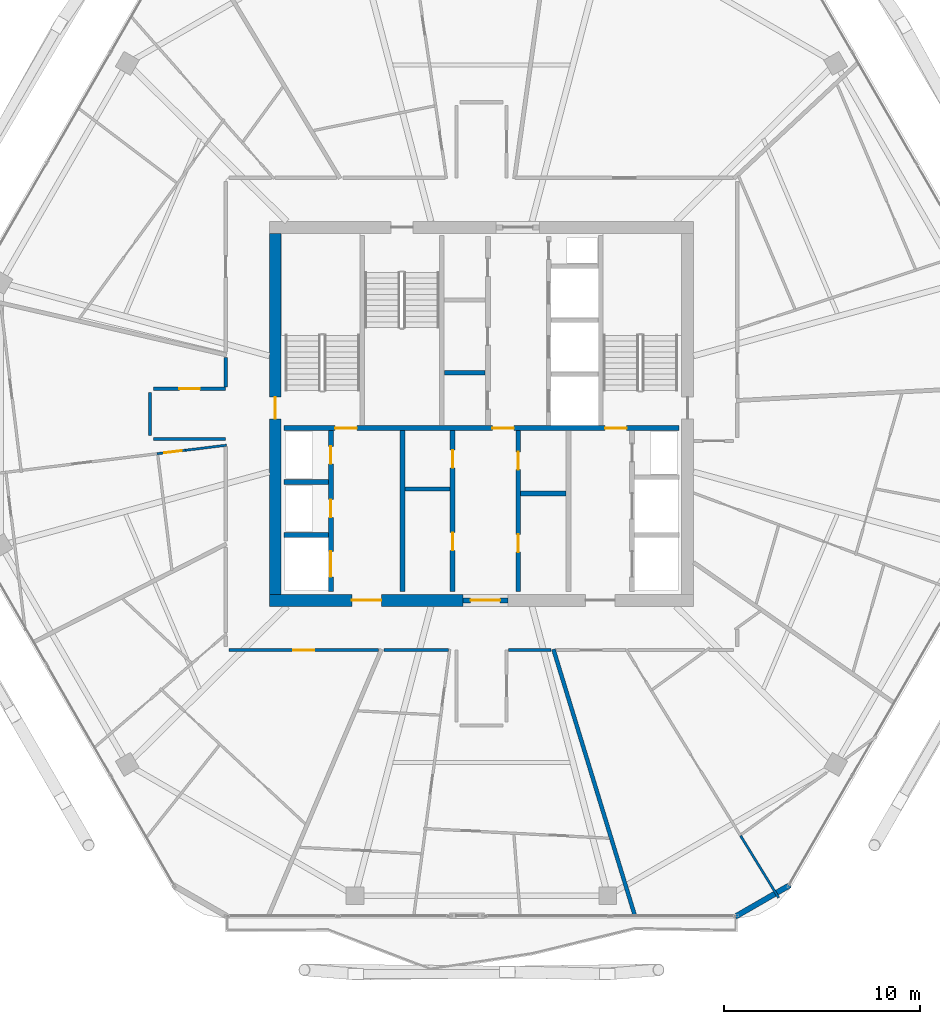
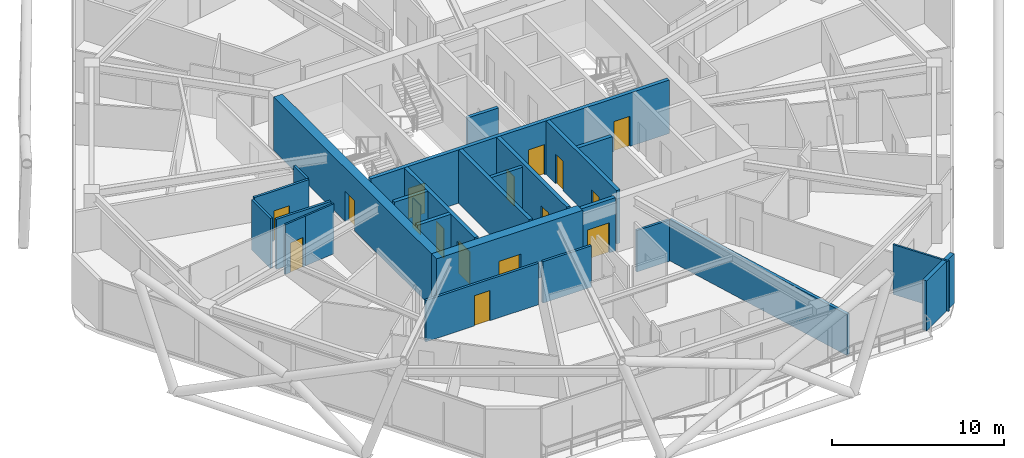
# One storey, part 21 of 28: 25 walls, 16 doors, 16 openings.
"""IFC4 building model written with IfcOpenShell, lengths in metres."""

from ifc_helpers import new_model, si_unit, direction, frame, frame_2d, origin, place, context, subcontext, project, spatial, rectangle, extrude, material, layer, layer_set, type_object, element, fill, save


model = new_model("IFC4")

# Units and contexts
model_context = context("Model", 3, precision=1e-05, world=origin(), true_north=direction((0.0, 1.0)))
body_context = subcontext(model_context, "Body", "Model", "MODEL_VIEW")
ifc_project = project(units=[si_unit("LENGTHUNIT", "METRE"), si_unit("AREAUNIT", "SQUARE_METRE"), si_unit("VOLUMEUNIT", "CUBIC_METRE"), si_unit("PLANEANGLEUNIT", "RADIAN"), si_unit("MASSUNIT", "GRAM", prefix="KILO")], contexts=[model_context])

# Site, building, storey
site_placement = place(None, origin())
site = spatial("IfcSite", under=ifc_project, at=site_placement, CompositionType="ELEMENT")
building_placement = place(site_placement, origin())
building = spatial("IfcBuilding", under=site, at=building_placement, Name="Zuhravey Tower", CompositionType="ELEMENT")
storey_placement = place(building_placement, frame((0.0, 0.0, 254.0)))
storey = spatial("IfcBuildingStorey", under=building, at=storey_placement, Name="L64", CompositionType="ELEMENT", Elevation=254.0)

# Wall, opening, door
ifc_material_1 = material(Name="Concrete C50/60", Category="concrete")
ifc_layer_1 = layer(ifc_material_1, 0.60009765625)
ifc_layer_set_1 = layer_set([ifc_layer_1], Name="Concrete C50/60")
wall_type_1 = type_object("IfcWallType", Name="Core Shear Wall 600", PredefinedType="SHEAR", material=ifc_layer_set_1)
wall_1_placement = place(storey_placement, frame((25.199951171875, 22.5, 0.0), z_axis=(0.0, 0.0, 1.0), x_axis=(1.0, 0.0, 0.0)))
wall_1 = element("IfcWall", 1, at=wall_1_placement, inside=storey, type_object=wall_type_1, Name="L64 South-West Core Shear Wall CW60", PredefinedType="SHEAR", context=body_context, shape_type="SweptSolid", body=[
    extrude(rectangle(XDim=9.85009765625, YDim=0.60009765625, at=frame_2d((4.925048828125, 0.0))), origin(), (0.0, 0.0, 1.0), 3.800048828125),
])
opening_1_placement = place(wall_1_placement, frame((4.199951171875, 0.0, 0.0)))
opening_1 = element("IfcOpeningElement", 2, at=opening_1_placement, cuts=wall_1, Name="Opening FFD1", PredefinedType="OPENING", context=body_context, shape_type="SweptSolid", body=[
    extrude(rectangle(XDim=1.5, YDim=2.14990234375, at=frame_2d((0.75, 1.074951171875))), frame((0.0, 0.31201171875, 0.0), z_axis=(0.0, -1.0, 0.0), x_axis=(1.0, 0.0, 0.0)), (0.0, 0.0, 1.0), 0.6240234375),
])
ifc_material_2 = material(Name="Galvanised fire-rated steel leaf", Category="steel")
door_type_1 = type_object("IfcDoorType", Name="Firefighting Lobby Double Door 1500x2150", OperationType="DOUBLE_DOOR_SINGLE_SWING", PredefinedType="DOOR", material=ifc_material_2)
door_1_placement = place(opening_1_placement, origin())
door_1 = element("IfcDoor", 3, at=door_1_placement, inside=storey, type_object=door_type_1, Name="L64 Firefighting Lobby West Door", OperationType="DOUBLE_DOOR_SINGLE_SWING", OverallHeight=2.14990234375, OverallWidth=1.5, PredefinedType="DOOR", context=body_context, shape_type="SweptSolid", body=[
    extrude(rectangle(XDim=1.5, YDim=2.14990234375, at=frame_2d((0.75, 1.074951171875))), frame((0.0, 0.02490234375, 0.0), z_axis=(0.0, -1.0, 0.0), x_axis=(1.0, 0.0, 0.0)), (0.0, 0.0, 1.0), 0.050048828125),
])
fill(opening_1, door_1)

wall_2_placement = place(storey_placement, frame((25.5, 22.800048828125, 0.0), z_axis=(0.0, 0.0, 1.0), x_axis=(0.0, 1.0, 0.0)))
wall_2 = element("IfcWall", 4, at=wall_2_placement, inside=storey, type_object=wall_type_1, Name="L64 West Core Shear Wall CW60", PredefinedType="SHEAR", context=body_context, shape_type="SweptSolid", body=[
    extrude(rectangle(XDim=18.39990234375, YDim=0.60009765625, at=frame_2d((9.199951171875, 0.0))), origin(), (0.0, 0.0, 1.0), 3.800048828125),
])
opening_2_placement = place(wall_2_placement, frame((8.949951171875, 0.0, 0.0)))
opening_2 = element("IfcOpeningElement", 5, at=opening_2_placement, cuts=wall_2, Name="Opening STD1", PredefinedType="OPENING", context=body_context, shape_type="SweptSolid", body=[
    extrude(rectangle(XDim=1.10009765625, YDim=2.14990234375, at=frame_2d((0.550048828125, 1.074951171875))), frame((0.0, 0.31201171875, 0.0), z_axis=(0.0, -1.0, 0.0), x_axis=(1.0, 0.0, 0.0)), (0.0, 0.0, 1.0), 0.6240234375),
])
door_type_2 = type_object("IfcDoorType", Name="Protected Stair Fire Door 1100x2150", OperationType="NOTDEFINED", PredefinedType="USERDEFINED", material=ifc_material_2)
door_2_placement = place(opening_2_placement, frame((1.10009765625, 0.0, 0.0), z_axis=(0.0, 0.0, 1.0), x_axis=(-1.0, 0.0, 0.0)))
door_2 = element("IfcDoor", 6, at=door_2_placement, inside=storey, type_object=door_type_2, Name="L64 Stair ST1 Door", ObjectType="EXITDOOR", OperationType="SINGLE_SWING_LEFT", OverallHeight=2.14990234375, OverallWidth=1.10009765625, PredefinedType="USERDEFINED", context=body_context, shape_type="SweptSolid", body=[
    extrude(rectangle(XDim=1.10009765625, YDim=2.14990234375, at=frame_2d((0.550048828125, 1.074951171875))), frame((0.0, 0.02490234375, 0.0), z_axis=(0.0, -1.0, 0.0), x_axis=(1.0, 0.0, 0.0)), (0.0, 0.0, 1.0), 0.050048828125),
])
fill(opening_2, door_2)

ifc_material_3 = material(Name="Gypsum fire-rated stud partition")
ifc_layer_2 = layer(ifc_material_3, 0.159912109375)
ifc_layer_set_2 = layer_set([ifc_layer_2], Name="Gypsum fire-rated stud partition")
wall_type_2 = type_object("IfcWallType", Name="Corridor Fire Partition 160", PredefinedType="PARTITIONING", material=ifc_layer_set_2)
wall_3_placement = place(storey_placement, frame((22.969970703125, 33.280029296875, 0.0), z_axis=(0.0, 0.0, 1.0), x_axis=(-1.0, 0.0, 0.0)))
wall_3 = element("IfcWall", 7, at=wall_3_placement, inside=storey, type_object=wall_type_2, Name="L64 IW16 Partition 030", PredefinedType="PARTITIONING", context=body_context, shape_type="SweptSolid", body=[
    extrude(rectangle(XDim=3.669921875, YDim=0.159912109375, at=frame_2d((1.8349609375, 0.0))), origin(), (0.0, 0.0, 1.0), 3.550048828125),
])
opening_3_placement = place(wall_3_placement, frame((1.31005859375, 0.0, 0.0)))
opening_3 = element("IfcOpeningElement", 8, at=opening_3_placement, cuts=wall_3, Name="Opening APD1", PredefinedType="OPENING", context=body_context, shape_type="SweptSolid", body=[
    extrude(rectangle(XDim=1.050048828125, YDim=2.14990234375, at=frame_2d((0.52490234375, 1.074951171875))), frame((0.0, 0.092041015625, 0.0), z_axis=(0.0, -1.0, 0.0), x_axis=(1.0, 0.0, 0.0)), (0.0, 0.0, 1.0), 0.183837890625),
])
ifc_material_4 = material(Name="Solid-core oak fire-rated leaf")
door_type_3 = type_object("IfcDoorType", Name="Apartment Entrance Fire Door 1050x2150", OperationType="NOTDEFINED", PredefinedType="DOOR", material=ifc_material_4)
door_3_placement = place(opening_3_placement, origin())
door_3 = element("IfcDoor", 9, at=door_3_placement, inside=storey, type_object=door_type_3, Name="L64 Door 030.1", OperationType="SINGLE_SWING_LEFT", OverallHeight=2.14990234375, OverallWidth=1.050048828125, PredefinedType="DOOR", context=body_context, shape_type="SweptSolid", body=[
    extrude(rectangle(XDim=1.050048828125, YDim=2.14990234375, at=frame_2d((0.52490234375, 1.074951171875))), frame((0.0, 0.02490234375, 0.0), z_axis=(0.0, -1.0, 0.0), x_axis=(1.0, 0.0, 0.0)), (0.0, 0.0, 1.0), 0.050048828125),
])
fill(opening_3, door_3)

wall_4_placement = place(storey_placement, frame((23.14990234375, 19.969970703125, 0.0), z_axis=(0.0, 0.0, 1.0), x_axis=(1.0, 0.0, 0.0)))
wall_4 = element("IfcWall", 10, at=wall_4_placement, inside=storey, type_object=wall_type_2, Name="L64 IW16 Partition 035", PredefinedType="PARTITIONING", context=body_context, shape_type="SweptSolid", body=[
    extrude(rectangle(XDim=7.597412109375, YDim=0.159912109375, at=frame_2d((3.798828125, 0.0))), origin(), (0.0, 0.0, 1.0), 2.949951171875),
])
opening_4_placement = place(wall_4_placement, frame((3.273681640625, 0.0, 0.0)))
opening_4 = element("IfcOpeningElement", 11, at=opening_4_placement, cuts=wall_4, Name="Opening APD1", PredefinedType="OPENING", context=body_context, shape_type="SweptSolid", body=[
    extrude(rectangle(XDim=1.050048828125, YDim=2.14990234375, at=frame_2d((0.52490234375, 1.074951171875))), frame((0.0, 0.092041015625, 0.0), z_axis=(0.0, -1.0, 0.0), x_axis=(1.0, 0.0, 0.0)), (0.0, 0.0, 1.0), 0.183837890625),
])
door_4_placement = place(opening_4_placement, frame((1.050048828125, 0.0, 0.0), z_axis=(0.0, 0.0, 1.0), x_axis=(-1.0, 0.0, 0.0)))
door_4 = element("IfcDoor", 12, at=door_4_placement, inside=storey, type_object=door_type_3, Name="L64 Door 035.1", OperationType="SINGLE_SWING_RIGHT", OverallHeight=2.14990234375, OverallWidth=1.050048828125, PredefinedType="DOOR", context=body_context, shape_type="SweptSolid", body=[
    extrude(rectangle(XDim=1.050048828125, YDim=2.14990234375, at=frame_2d((0.52490234375, 1.074951171875))), frame((0.0, 0.02490234375, 0.0), z_axis=(0.0, -1.0, 0.0), x_axis=(1.0, 0.0, 0.0)), (0.0, 0.0, 1.0), 0.050048828125),
])
fill(opening_4, door_4)

# Walls
wall_5_placement = place(storey_placement, frame((19.300048828125, 30.719970703125, 0.0), z_axis=(0.0, 0.0, 1.0), x_axis=(1.0, 0.0, 0.0)))
element("IfcWall", 13, at=wall_5_placement, inside=storey, type_object=wall_type_2, Name="L64 IW16 Partition 105", PredefinedType="PARTITIONING", context=body_context, shape_type="SweptSolid", body=[
    extrude(rectangle(XDim=3.669921875, YDim=0.159912109375, at=frame_2d((1.8349609375, 0.0))), origin(), (0.0, 0.0, 1.0), 3.550048828125),
])
wall_6_placement = place(storey_placement, frame((19.1201171875, 33.10009765625, 0.0), z_axis=(0.0, 0.0, 1.0), x_axis=(0.0, -1.0, 0.0)))
element("IfcWall", 14, at=wall_6_placement, inside=storey, type_object=wall_type_2, Name="L64 IW16 Partition 106", PredefinedType="PARTITIONING", context=body_context, shape_type="SweptSolid", body=[
    extrude(rectangle(XDim=2.2001953125, YDim=0.159912109375, at=frame_2d((1.10009765625, 0.0))), origin(), (0.0, 0.0, 1.0), 3.550048828125),
])
wall_7_placement = place(storey_placement, frame((22.969970703125, 34.8681640625, 0.0), z_axis=(0.0, 0.0, 1.0), x_axis=(0.0, -1.0, 0.0)))
element("IfcWall", 15, at=wall_7_placement, inside=storey, type_object=wall_type_2, Name="L64 IW16 Partition 107", PredefinedType="PARTITIONING", context=body_context, shape_type="SweptSolid", body=[
    extrude(rectangle(XDim=1.500244140625, YDim=0.159912109375, at=frame_2d((0.75, 0.0))), origin(), (0.0, 0.0, 1.0), 3.550048828125),
])
wall_8_placement = place(storey_placement, frame((37.367919921875, 19.969970703125, 0.0), z_axis=(0.0, 0.0, 1.0), x_axis=(1.0, 0.0, 0.0)))
element("IfcWall", 16, at=wall_8_placement, inside=storey, type_object=wall_type_2, Name="L64 IW16 Partition 112", PredefinedType="PARTITIONING", context=body_context, shape_type="SweptSolid", body=[
    extrude(rectangle(XDim=2.174560546875, YDim=0.159912109375, at=frame_2d((1.08740234375, 0.0))), origin(), (0.0, 0.0, 1.0), 2.949951171875),
])
wall_9_placement = place(storey_placement, frame((31.038818359375, 19.969970703125, 0.0), z_axis=(0.0, 0.0, 1.0), x_axis=(1.0, 0.0, 0.0)))
element("IfcWall", 17, at=wall_9_placement, inside=storey, type_object=wall_type_2, Name="L64 IW16 Partition 114", PredefinedType="PARTITIONING", context=body_context, shape_type="SweptSolid", body=[
    extrude(rectangle(XDim=3.270263671875, YDim=0.159912109375, at=frame_2d((1.63525390625, 0.0))), origin(), (0.0, 0.0, 1.0), 2.949951171875),
])
ifc_material_5 = material(Name="Precast concrete C40/50", Category="concrete")
ifc_layer_3 = layer(ifc_material_5, 0.280029296875)
ifc_layer_set_3 = layer_set([ifc_layer_3], Name="Precast concrete C40/50")
wall_type_3 = type_object("IfcWallType", Name="Crown Architectural Wall 280", PredefinedType="SOLIDWALL", material=ifc_layer_set_3)
wall_10_placement = place(storey_placement, frame((51.714599609375, 7.996337890625, 0.0), z_axis=(0.0, 0.0, 1.0), x_axis=(-0.866028773314, -0.499994163758, 0.0)))
element("IfcWall", 18, at=wall_10_placement, inside=storey, type_object=wall_type_3, Name="L64 Rounded Corner Closure Wall EW28-02", PredefinedType="SOLIDWALL", context=body_context, shape_type="SweptSolid", body=[
    extrude(rectangle(XDim=3.21484375, YDim=0.280029296875, at=frame_2d((1.607421875, 0.0))), origin(), (0.0, 0.0, 1.0), 3.550048828125),
])

# Wall, opening, door
ifc_layer_4 = layer(ifc_material_1, 0.25)
ifc_layer_set_4 = layer_set([ifc_layer_4], Name="Concrete C50/60")
wall_type_4 = type_object("IfcWallType", Name="Firefighting Shaft & Stair Wall 250", PredefinedType="SOLIDWALL", material=ifc_layer_set_4)
wall_11_placement = place(storey_placement, frame((35.06005859375, 22.5, 0.0), z_axis=(0.0, 0.0, 1.0), x_axis=(1.0, 0.0, 0.0)))
wall_11 = element("IfcWall", 19, at=wall_11_placement, inside=storey, type_object=wall_type_4, Name="L64 FW25 Shaft Wall 001", PredefinedType="SOLIDWALL", context=body_context, shape_type="SweptSolid", body=[
    extrude(rectangle(XDim=2.280029296875, YDim=0.25, at=frame_2d((1.14013671875, 0.0))), origin(), (0.0, 0.0, 1.0), 3.800048828125),
])
opening_5_placement = place(wall_11_placement, frame((0.389892578125, 0.0, 0.0)))
opening_5 = element("IfcOpeningElement", 20, at=opening_5_placement, cuts=wall_11, Name="Opening FFD1", PredefinedType="OPENING", context=body_context, shape_type="SweptSolid", body=[
    extrude(rectangle(XDim=1.5, YDim=2.14990234375, at=frame_2d((0.75, 1.074951171875))), frame((0.0, 0.136962890625, 0.0), z_axis=(0.0, -1.0, 0.0), x_axis=(1.0, 0.0, 0.0)), (0.0, 0.0, 1.0), 0.27392578125),
])
door_5_placement = place(opening_5_placement, frame((1.5, 0.0, 0.0), z_axis=(0.0, 0.0, 1.0), x_axis=(-1.0, 0.0, 0.0)))
door_5 = element("IfcDoor", 21, at=door_5_placement, inside=storey, type_object=door_type_1, Name="L64 South Lift Lobby Exit Door", OperationType="DOUBLE_DOOR_SINGLE_SWING", OverallHeight=2.14990234375, OverallWidth=1.5, PredefinedType="DOOR", context=body_context, shape_type="SweptSolid", body=[
    extrude(rectangle(XDim=1.5, YDim=2.14990234375, at=frame_2d((0.75, 1.074951171875))), frame((0.0, 0.02490234375, 0.0), z_axis=(0.0, -1.0, 0.0), x_axis=(1.0, 0.0, 0.0)), (0.0, 0.0, 1.0), 0.050048828125),
])
fill(opening_5, door_5)

# Wall, openings, doors
wall_12_placement = place(storey_placement, frame((25.949951171875, 31.27490234375, 0.0), z_axis=(0.0, 0.0, 1.0), x_axis=(1.0, 0.0, 0.0)))
wall_12 = element("IfcWall", 22, at=wall_12_placement, inside=storey, type_object=wall_type_4, Name="L64 FW25 Shaft Wall 003", PredefinedType="SOLIDWALL", context=body_context, shape_type="SweptSolid", body=[
    extrude(rectangle(XDim=20.10009765625, YDim=0.25, at=frame_2d((10.050048828125, 0.0))), origin(), (0.0, 0.0, 1.0), 3.800048828125),
])
opening_6_placement = place(wall_12_placement, frame((2.60009765625, 0.0, 0.0)))
opening_6 = element("IfcOpeningElement", 23, at=opening_6_placement, cuts=wall_12, Name="Opening STD1", PredefinedType="OPENING", context=body_context, shape_type="SweptSolid", body=[
    extrude(rectangle(XDim=1.10009765625, YDim=2.14990234375, at=frame_2d((0.550048828125, 1.074951171875))), frame((0.0, 0.136962890625, 0.0), z_axis=(0.0, -1.0, 0.0), x_axis=(1.0, 0.0, 0.0)), (0.0, 0.0, 1.0), 0.27392578125),
])
opening_7_placement = place(wall_12_placement, frame((10.60009765625, 0.0, 0.0)))
opening_7 = element("IfcOpeningElement", 24, at=opening_7_placement, cuts=wall_12, Name="Opening STD1", PredefinedType="OPENING", context=body_context, shape_type="SweptSolid", body=[
    extrude(rectangle(XDim=1.10009765625, YDim=2.14990234375, at=frame_2d((0.550048828125, 1.074951171875))), frame((0.0, 0.136962890625, 0.0), z_axis=(0.0, -1.0, 0.0), x_axis=(1.0, 0.0, 0.0)), (0.0, 0.0, 1.0), 0.27392578125),
])
opening_8_placement = place(wall_12_placement, frame((16.35009765625, 0.0, 0.0)))
opening_8 = element("IfcOpeningElement", 25, at=opening_8_placement, cuts=wall_12, Name="Opening STD1", PredefinedType="OPENING", context=body_context, shape_type="SweptSolid", body=[
    extrude(rectangle(XDim=1.10009765625, YDim=2.14990234375, at=frame_2d((0.550048828125, 1.074951171875))), frame((0.0, 0.136962890625, 0.0), z_axis=(0.0, -1.0, 0.0), x_axis=(1.0, 0.0, 0.0)), (0.0, 0.0, 1.0), 0.27392578125),
])
door_6_placement = place(opening_6_placement, origin())
door_6 = element("IfcDoor", 26, at=door_6_placement, inside=storey, type_object=door_type_2, Name="L64 FFL-W to ST1 Door", ObjectType="EXITDOOR", OperationType="SINGLE_SWING_RIGHT", OverallHeight=2.14990234375, OverallWidth=1.10009765625, PredefinedType="USERDEFINED", context=body_context, shape_type="SweptSolid", body=[
    extrude(rectangle(XDim=1.10009765625, YDim=2.14990234375, at=frame_2d((0.550048828125, 1.074951171875))), frame((0.0, 0.02490234375, 0.0), z_axis=(0.0, -1.0, 0.0), x_axis=(1.0, 0.0, 0.0)), (0.0, 0.0, 1.0), 0.050048828125),
])
fill(opening_6, door_6)
door_7_placement = place(opening_7_placement, origin())
door_7 = element("IfcDoor", 27, at=door_7_placement, inside=storey, type_object=door_type_2, Name="L64 Core Lobby Link Door", ObjectType="EXITDOOR", OperationType="SINGLE_SWING_LEFT", OverallHeight=2.14990234375, OverallWidth=1.10009765625, PredefinedType="USERDEFINED", context=body_context, shape_type="SweptSolid", body=[
    extrude(rectangle(XDim=1.10009765625, YDim=2.14990234375, at=frame_2d((0.550048828125, 1.074951171875))), frame((0.0, 0.02490234375, 0.0), z_axis=(0.0, -1.0, 0.0), x_axis=(1.0, 0.0, 0.0)), (0.0, 0.0, 1.0), 0.050048828125),
])
fill(opening_7, door_7)
door_8_placement = place(opening_8_placement, origin())
door_8 = element("IfcDoor", 28, at=door_8_placement, inside=storey, type_object=door_type_2, Name="L64 FFL-E to ST2 Door", ObjectType="EXITDOOR", OperationType="SINGLE_SWING_RIGHT", OverallHeight=2.14990234375, OverallWidth=1.10009765625, PredefinedType="USERDEFINED", context=body_context, shape_type="SweptSolid", body=[
    extrude(rectangle(XDim=1.10009765625, YDim=2.14990234375, at=frame_2d((0.550048828125, 1.074951171875))), frame((0.0, 0.02490234375, 0.0), z_axis=(0.0, -1.0, 0.0), x_axis=(1.0, 0.0, 0.0)), (0.0, 0.0, 1.0), 0.050048828125),
])
fill(opening_8, door_8)

# Walls
for number, where, z_axis, x_axis, name in (
    (29, (25.949951171875, 25.824951171875, 0.0), (0.0, 0.0, 1.0), (1.0, 0.0, 0.0), "L64 FW25 Shaft Wall 009"),
    (30, (25.949951171875, 28.52490234375, 0.0), (0.0, 0.0, 1.0), (1.0, 0.0, 0.0), "L64 FW25 Shaft Wall 010"),
):
    element("IfcWall", number, at=place(storey_placement, frame(where, z_axis=z_axis, x_axis=x_axis)), inside=storey, type_object=wall_type_4, Name=name, PredefinedType="SOLIDWALL", context=body_context, shape_type="SweptSolid", body=[
        extrude(rectangle(XDim=2.25, YDim=0.25, at=frame_2d((1.125, 0.0))), origin(), (0.0, 0.0, 1.0), 3.800048828125),
    ])

# Wall, openings, doors
wall_13_placement = place(storey_placement, frame((28.324951171875, 22.949951171875, 0.0), z_axis=(0.0, 0.0, 1.0), x_axis=(0.0, 1.0, 0.0)))
wall_13 = element("IfcWall", 31, at=wall_13_placement, inside=storey, type_object=wall_type_4, Name="L64 FW25 Shaft Wall 011", PredefinedType="SOLIDWALL", context=body_context, shape_type="SweptSolid", body=[
    extrude(rectangle(XDim=8.199951171875, YDim=0.25, at=frame_2d((4.10009765625, 0.0))), origin(), (0.0, 0.0, 1.0), 3.800048828125),
])
opening_9_placement = place(wall_13_placement, frame((0.75, 0.0, 0.0)))
opening_9 = element("IfcOpeningElement", 32, at=opening_9_placement, cuts=wall_13, Name="Opening LD2", PredefinedType="OPENING", context=body_context, shape_type="SweptSolid", body=[
    extrude(rectangle(XDim=1.300048828125, YDim=2.300048828125, at=frame_2d((0.64990234375, 1.14990234375))), frame((0.0, 0.136962890625, 0.0), z_axis=(0.0, -1.0, 0.0), x_axis=(1.0, 0.0, 0.0)), (0.0, 0.0, 1.0), 0.27392578125),
])
opening_10_placement = place(wall_13_placement, frame((3.780029296875, 0.0, 0.0)))
opening_10 = element("IfcOpeningElement", 33, at=opening_10_placement, cuts=wall_13, Name="Opening RSD1", PredefinedType="OPENING", context=body_context, shape_type="SweptSolid", body=[
    extrude(rectangle(XDim=0.89990234375, YDim=2.10009765625, at=frame_2d((0.449951171875, 1.050048828125))), frame((0.0, 0.136962890625, 0.0), z_axis=(0.0, -1.0, 0.0), x_axis=(1.0, 0.0, 0.0)), (0.0, 0.0, 1.0), 0.27392578125),
])
opening_11_placement = place(wall_13_placement, frame((6.5, 0.0, 0.0)))
opening_11 = element("IfcOpeningElement", 34, at=opening_11_placement, cuts=wall_13, Name="Opening RSD1", PredefinedType="OPENING", context=body_context, shape_type="SweptSolid", body=[
    extrude(rectangle(XDim=0.89990234375, YDim=2.10009765625, at=frame_2d((0.449951171875, 1.050048828125))), frame((0.0, 0.136962890625, 0.0), z_axis=(0.0, -1.0, 0.0), x_axis=(1.0, 0.0, 0.0)), (0.0, 0.0, 1.0), 0.27392578125),
])
ifc_material_6 = material(Name="Brushed stainless steel", Category="steel")
door_type_4 = type_object("IfcDoorType", Name="Freight & Stretcher Lift Sliding Door 1300x2300", OperationType="DOUBLE_DOOR_SLIDING", PredefinedType="DOOR", material=ifc_material_6)
door_9_placement = place(opening_9_placement, frame((1.300048828125, 0.0, 0.0), z_axis=(0.0, 0.0, 1.0), x_axis=(-1.0, 0.0, 0.0)))
door_9 = element("IfcDoor", 35, at=door_9_placement, inside=storey, type_object=door_type_4, Name="L64 Lift FF1 Landing Door", OperationType="DOUBLE_DOOR_SLIDING", OverallHeight=2.300048828125, OverallWidth=1.300048828125, PredefinedType="DOOR", context=body_context, shape_type="SweptSolid", body=[
    extrude(rectangle(XDim=1.300048828125, YDim=2.300048828125, at=frame_2d((0.64990234375, 1.14990234375))), frame((0.0, 0.02490234375, 0.0), z_axis=(0.0, -1.0, 0.0), x_axis=(1.0, 0.0, 0.0)), (0.0, 0.0, 1.0), 0.050048828125),
])
fill(opening_9, door_9)
ifc_material_7 = material(Name="Galvanised fire-rated steel access leaf", Category="steel")
door_type_5 = type_object("IfcDoorType", Name="Riser & Shaft Access Fire Door 900x2100", OperationType="NOTDEFINED", PredefinedType="DOOR", material=ifc_material_7)
door_10_placement = place(opening_10_placement, frame((0.89990234375, 0.0, 0.0), z_axis=(0.0, 0.0, 1.0), x_axis=(-1.0, 0.0, 0.0)))
door_10 = element("IfcDoor", 36, at=door_10_placement, inside=storey, type_object=door_type_5, Name="L64 Electrical Riser Door", OperationType="SINGLE_SWING_LEFT", OverallHeight=2.10009765625, OverallWidth=0.89990234375, PredefinedType="DOOR", context=body_context, shape_type="SweptSolid", body=[
    extrude(rectangle(XDim=0.89990234375, YDim=2.10009765625, at=frame_2d((0.449951171875, 1.050048828125))), frame((0.0, 0.02490234375, 0.0), z_axis=(0.0, -1.0, 0.0), x_axis=(1.0, 0.0, 0.0)), (0.0, 0.0, 1.0), 0.050048828125),
])
fill(opening_10, door_10)
door_11_placement = place(opening_11_placement, frame((0.89990234375, 0.0, 0.0), z_axis=(0.0, 0.0, 1.0), x_axis=(-1.0, 0.0, 0.0)))
door_11 = element("IfcDoor", 37, at=door_11_placement, inside=storey, type_object=door_type_5, Name="L64 Smoke Shaft Access Door", OperationType="SINGLE_SWING_RIGHT", OverallHeight=2.10009765625, OverallWidth=0.89990234375, PredefinedType="DOOR", context=body_context, shape_type="SweptSolid", body=[
    extrude(rectangle(XDim=0.89990234375, YDim=2.10009765625, at=frame_2d((0.449951171875, 1.050048828125))), frame((0.0, 0.02490234375, 0.0), z_axis=(0.0, -1.0, 0.0), x_axis=(1.0, 0.0, 0.0)), (0.0, 0.0, 1.0), 0.050048828125),
])
fill(opening_11, door_11)

# Wall
wall_14_placement = place(storey_placement, frame((31.97509765625, 22.949951171875, 0.0), z_axis=(0.0, 0.0, 1.0), x_axis=(0.0, 1.0, 0.0)))
element("IfcWall", 38, at=wall_14_placement, inside=storey, type_object=wall_type_4, Name="L64 FW25 Shaft Wall 012", PredefinedType="SOLIDWALL", context=body_context, shape_type="SweptSolid", body=[
    extrude(rectangle(XDim=8.199951171875, YDim=0.25, at=frame_2d((4.10009765625, 0.0))), origin(), (0.0, 0.0, 1.0), 3.800048828125),
])

# Wall, openings, doors
wall_15_placement = place(storey_placement, frame((34.52490234375, 22.949951171875, 0.0), z_axis=(0.0, 0.0, 1.0), x_axis=(0.0, 1.0, 0.0)))
wall_15 = element("IfcWall", 39, at=wall_15_placement, inside=storey, type_object=wall_type_4, Name="L64 FW25 Shaft Wall 013", PredefinedType="SOLIDWALL", context=body_context, shape_type="SweptSolid", body=[
    extrude(rectangle(XDim=8.199951171875, YDim=0.25, at=frame_2d((4.10009765625, 0.0))), origin(), (0.0, 0.0, 1.0), 3.800048828125),
])
opening_12_placement = place(wall_15_placement, frame((2.10009765625, 0.0, 0.0)))
opening_12 = element("IfcOpeningElement", 40, at=opening_12_placement, cuts=wall_15, Name="Opening RSD1", PredefinedType="OPENING", context=body_context, shape_type="SweptSolid", body=[
    extrude(rectangle(XDim=0.89990234375, YDim=2.10009765625, at=frame_2d((0.449951171875, 1.050048828125))), frame((0.0, 0.136962890625, 0.0), z_axis=(0.0, -1.0, 0.0), x_axis=(1.0, 0.0, 0.0)), (0.0, 0.0, 1.0), 0.27392578125),
])
opening_13_placement = place(wall_15_placement, frame((6.300048828125, 0.0, 0.0)))
opening_13 = element("IfcOpeningElement", 41, at=opening_13_placement, cuts=wall_15, Name="Opening RSD1", PredefinedType="OPENING", context=body_context, shape_type="SweptSolid", body=[
    extrude(rectangle(XDim=0.89990234375, YDim=2.10009765625, at=frame_2d((0.449951171875, 1.050048828125))), frame((0.0, 0.136962890625, 0.0), z_axis=(0.0, -1.0, 0.0), x_axis=(1.0, 0.0, 0.0)), (0.0, 0.0, 1.0), 0.27392578125),
])
door_12_placement = place(opening_12_placement, origin())
door_12 = element("IfcDoor", 42, at=door_12_placement, inside=storey, type_object=door_type_5, Name="L64 Housekeeping Store Door", OperationType="SINGLE_SWING_LEFT", OverallHeight=2.10009765625, OverallWidth=0.89990234375, PredefinedType="DOOR", context=body_context, shape_type="SweptSolid", body=[
    extrude(rectangle(XDim=0.89990234375, YDim=2.10009765625, at=frame_2d((0.449951171875, 1.050048828125))), frame((0.0, 0.02490234375, 0.0), z_axis=(0.0, -1.0, 0.0), x_axis=(1.0, 0.0, 0.0)), (0.0, 0.0, 1.0), 0.050048828125),
])
fill(opening_12, door_12)
door_13_placement = place(opening_13_placement, origin())
door_13 = element("IfcDoor", 43, at=door_13_placement, inside=storey, type_object=door_type_5, Name="L64 Comms Closet Door", OperationType="SINGLE_SWING_RIGHT", OverallHeight=2.10009765625, OverallWidth=0.89990234375, PredefinedType="DOOR", context=body_context, shape_type="SweptSolid", body=[
    extrude(rectangle(XDim=0.89990234375, YDim=2.10009765625, at=frame_2d((0.449951171875, 1.050048828125))), frame((0.0, 0.02490234375, 0.0), z_axis=(0.0, -1.0, 0.0), x_axis=(1.0, 0.0, 0.0)), (0.0, 0.0, 1.0), 0.050048828125),
])
fill(opening_13, door_13)

# Wall
wall_16_placement = place(storey_placement, frame((38.0, 27.949951171875, 0.0), z_axis=(0.0, 0.0, 1.0), x_axis=(1.0, 0.0, 0.0)))
element("IfcWall", 44, at=wall_16_placement, inside=storey, type_object=wall_type_4, Name="L64 FW25 Shaft Wall 014", PredefinedType="SOLIDWALL", context=body_context, shape_type="SweptSolid", body=[
    extrude(rectangle(XDim=2.300048828125, YDim=0.25, at=frame_2d((1.14990234375, 0.0))), origin(), (0.0, 0.0, 1.0), 3.800048828125),
])

# Wall, openings, doors
wall_17_placement = place(storey_placement, frame((37.875, 22.949951171875, 0.0), z_axis=(0.0, 0.0, 1.0), x_axis=(0.0, 1.0, 0.0)))
wall_17 = element("IfcWall", 45, at=wall_17_placement, inside=storey, type_object=wall_type_4, Name="L64 FW25 Shaft Wall 015", PredefinedType="SOLIDWALL", context=body_context, shape_type="SweptSolid", body=[
    extrude(rectangle(XDim=8.199951171875, YDim=0.25, at=frame_2d((4.10009765625, 0.0))), origin(), (0.0, 0.0, 1.0), 3.800048828125),
])
opening_14_placement = place(wall_17_placement, frame((2.012451171875, 0.0, 0.0)))
opening_14 = element("IfcOpeningElement", 46, at=opening_14_placement, cuts=wall_17, Name="Opening RSD1", PredefinedType="OPENING", context=body_context, shape_type="SweptSolid", body=[
    extrude(rectangle(XDim=0.89990234375, YDim=2.10009765625, at=frame_2d((0.449951171875, 1.050048828125))), frame((0.0, 0.136962890625, 0.0), z_axis=(0.0, -1.0, 0.0), x_axis=(1.0, 0.0, 0.0)), (0.0, 0.0, 1.0), 0.27392578125),
])
opening_15_placement = place(wall_17_placement, frame((6.21240234375, 0.0, 0.0)))
opening_15 = element("IfcOpeningElement", 47, at=opening_15_placement, cuts=wall_17, Name="Opening RSD1", PredefinedType="OPENING", context=body_context, shape_type="SweptSolid", body=[
    extrude(rectangle(XDim=0.89990234375, YDim=2.10009765625, at=frame_2d((0.449951171875, 1.050048828125))), frame((0.0, 0.136962890625, 0.0), z_axis=(0.0, -1.0, 0.0), x_axis=(1.0, 0.0, 0.0)), (0.0, 0.0, 1.0), 0.27392578125),
])
door_14_placement = place(opening_14_placement, frame((0.89990234375, 0.0, 0.0), z_axis=(0.0, 0.0, 1.0), x_axis=(-1.0, 0.0, 0.0)))
door_14 = element("IfcDoor", 48, at=door_14_placement, inside=storey, type_object=door_type_5, Name="L64 Trunk Store Door", OperationType="SINGLE_SWING_LEFT", OverallHeight=2.10009765625, OverallWidth=0.89990234375, PredefinedType="DOOR", context=body_context, shape_type="SweptSolid", body=[
    extrude(rectangle(XDim=0.89990234375, YDim=2.10009765625, at=frame_2d((0.449951171875, 1.050048828125))), frame((0.0, 0.02490234375, 0.0), z_axis=(0.0, -1.0, 0.0), x_axis=(1.0, 0.0, 0.0)), (0.0, 0.0, 1.0), 0.050048828125),
])
fill(opening_14, door_14)
door_15_placement = place(opening_15_placement, frame((0.89990234375, 0.0, 0.0), z_axis=(0.0, 0.0, 1.0), x_axis=(-1.0, 0.0, 0.0)))
door_15 = element("IfcDoor", 49, at=door_15_placement, inside=storey, type_object=door_type_5, Name="L64 Fiber Room Door", OperationType="SINGLE_SWING_RIGHT", OverallHeight=2.10009765625, OverallWidth=0.89990234375, PredefinedType="DOOR", context=body_context, shape_type="SweptSolid", body=[
    extrude(rectangle(XDim=0.89990234375, YDim=2.10009765625, at=frame_2d((0.449951171875, 1.050048828125))), frame((0.0, 0.02490234375, 0.0), z_axis=(0.0, -1.0, 0.0), x_axis=(1.0, 0.0, 0.0)), (0.0, 0.0, 1.0), 0.050048828125),
])
fill(opening_15, door_15)

# Walls
ifc_material_8 = material(Name="Gypsum double-stud party assembly")
ifc_layer_5 = layer(ifc_material_8, 0.199951171875)
ifc_layer_set_5 = layer_set([ifc_layer_5], Name="Gypsum double-stud party assembly")
wall_type_5 = type_object("IfcWallType", Name="Inter-Tenancy Party Wall 200", PredefinedType="PARTITIONING", material=ifc_layer_set_5)
wall_18_placement = place(storey_placement, frame((39.665771484375, 20.010009765625, 0.0), z_axis=(0.0, 0.0, 1.0), x_axis=(0.292371477774, -0.956304825348, 0.0)))
element("IfcWall", 50, at=wall_18_placement, inside=storey, type_object=wall_type_5, Name="L64 IW20 Partition 084", PredefinedType="PARTITIONING", context=body_context, shape_type="SweptSolid", body=[
    extrude(rectangle(XDim=14.19384765625, YDim=0.199951171875, at=frame_2d((7.096923828125, 0.0))), origin(), (0.0, 0.0, 1.0), 2.929931640625),
])
ifc_material_9 = material(Name="Gypsum acoustic stud assembly")
ifc_layer_6 = layer(ifc_material_9, 0.219970703125)
ifc_layer_set_6 = layer_set([ifc_layer_6], Name="Gypsum acoustic stud assembly")
wall_type_6 = type_object("IfcWallType", Name="School Acoustic Compartment Wall 220", PredefinedType="PARTITIONING", material=ifc_layer_set_6)
wall_19_placement = place(storey_placement, frame((34.10791015625, 34.10009765625, 0.0), z_axis=(0.0, 0.0, 1.0), x_axis=(1.0, 0.0, 0.0)))
element("IfcWall", 51, at=wall_19_placement, inside=storey, type_object=wall_type_6, Name="L64 IW22 Partition 061", PredefinedType="PARTITIONING", context=body_context, shape_type="SweptSolid", body=[
    extrude(rectangle(XDim=2.083984375, YDim=0.219970703125, at=frame_2d((1.0419921875, 0.0))), origin(), (0.0, 0.0, 1.0), 3.550048828125),
])
wall_20_placement = place(storey_placement, frame((32.10791015625, 28.175048828125, 0.0), z_axis=(0.0, 0.0, 1.0), x_axis=(1.0, 0.0, 0.0)))
element("IfcWall", 52, at=wall_20_placement, inside=storey, type_object=wall_type_6, Name="L64 IW22 Partition 066", PredefinedType="PARTITIONING", context=body_context, shape_type="SweptSolid", body=[
    extrude(rectangle(XDim=2.2841796875, YDim=0.219970703125, at=frame_2d((1.14208984375, 0.0))), origin(), (0.0, 0.0, 1.0), 3.550048828125),
])

# Wall, opening, door
ifc_material_10 = material(Name="Gypsum metal-stud partition")
ifc_layer_7 = layer(ifc_material_10, 0.1201171875)
ifc_layer_set_7 = layer_set([ifc_layer_7], Name="Gypsum metal-stud partition")
wall_type_7 = type_object("IfcWallType", Name="Unit Internal Partition 120", PredefinedType="PARTITIONING", material=ifc_layer_set_7)
wall_21_placement = place(storey_placement, frame((20.932861328125, 30.14990234375, 0.0), z_axis=(0.0, 0.0, 1.0), x_axis=(-0.992546988371, -0.121862528596, 0.0)))
wall_21 = element("IfcWall", 53, at=wall_21_placement, inside=storey, type_object=wall_type_7, Name="L64 IW12 Partition 026", PredefinedType="PARTITIONING", context=body_context, shape_type="SweptSolid", body=[
    extrude(rectangle(XDim=1.466552734375, YDim=0.1201171875, at=frame_2d((0.7333984375, 0.0))), origin(), (0.0, 0.0, 1.0), 3.550048828125),
])
opening_16_placement = place(wall_21_placement, frame((0.199951171875, 0.0, 0.0)))
opening_16 = element("IfcOpeningElement", 54, at=opening_16_placement, cuts=wall_21, Name="Opening WCD1", PredefinedType="OPENING", context=body_context, shape_type="SweptSolid", body=[
    extrude(rectangle(XDim=0.89990234375, YDim=2.10009765625, at=frame_2d((0.449951171875, 1.050048828125))), frame((0.0, 0.072021484375, 0.0), z_axis=(0.0, -1.0, 0.0), x_axis=(1.0, 0.0, 0.0)), (0.0, 0.0, 1.0), 0.14404296875),
])
ifc_material_11 = material(Name="Moisture-resistant timber leaf", Category="wood")
door_type_6 = type_object("IfcDoorType", Name="Bathroom & WC Internal Door 900x2100", OperationType="NOTDEFINED", PredefinedType="DOOR", material=ifc_material_11)
door_16_placement = place(opening_16_placement, origin())
door_16 = element("IfcDoor", 55, at=door_16_placement, inside=storey, type_object=door_type_6, Name="Apartment L64-02 Bathroom Door", OperationType="SINGLE_SWING_RIGHT", OverallHeight=2.10009765625, OverallWidth=0.89990234375, PredefinedType="DOOR", context=body_context, shape_type="SweptSolid", body=[
    extrude(rectangle(XDim=0.89990234375, YDim=2.10009765625, at=frame_2d((0.449951171875, 1.050048828125))), frame((0.0, 0.02490234375, 0.0), z_axis=(0.0, -1.0, 0.0), x_axis=(1.0, 0.0, 0.0)), (0.0, 0.0, 1.0), 0.050048828125),
])
fill(opening_16, door_16)

# Walls
wall_22_placement = place(storey_placement, frame((23.014892578125, 30.405517578125, 0.0), z_axis=(0.0, 0.0, 1.0), x_axis=(-0.992547654216, -0.121857105296, 0.0)))
element("IfcWall", 56, at=wall_22_placement, inside=storey, type_object=wall_type_7, Name="L64 IW12 Partition 072", PredefinedType="PARTITIONING", context=body_context, shape_type="SweptSolid", body=[
    extrude(rectangle(XDim=2.09765625, YDim=0.1201171875, at=frame_2d((1.048828125, 0.0))), origin(), (0.0, 0.0, 1.0), 3.550048828125),
])
wall_23_placement = place(storey_placement, frame((49.197509765625, 10.51416015625, 0.0), z_axis=(0.0, 0.0, 1.0), x_axis=(0.523392872286, -0.852091486426, 0.0)))
element("IfcWall", 57, at=wall_23_placement, inside=storey, type_object=wall_type_7, Name="L64 IW12 Partition 086", PredefinedType="PARTITIONING", context=body_context, shape_type="SweptSolid", body=[
    extrude(rectangle(XDim=3.712890625, YDim=0.1201171875, at=frame_2d((1.8564453125, 0.0))), origin(), (0.0, 0.0, 1.0), 3.550048828125),
])

save(model, "model.ifc")
